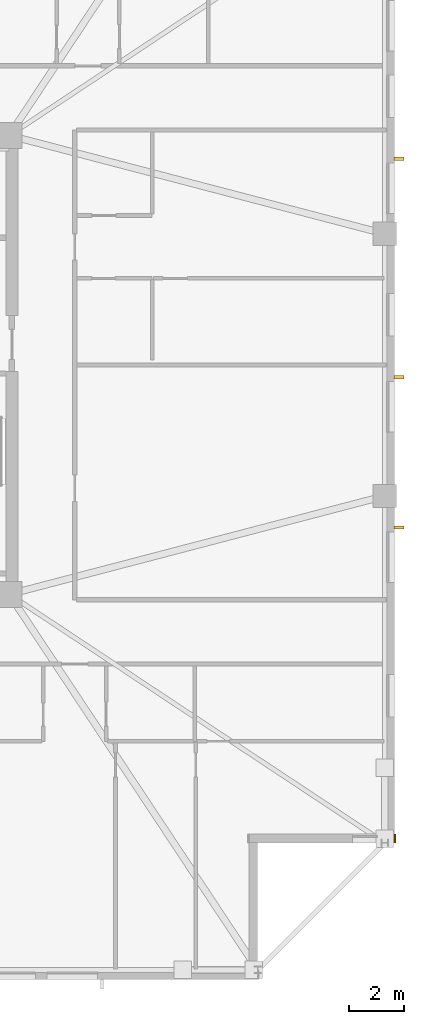
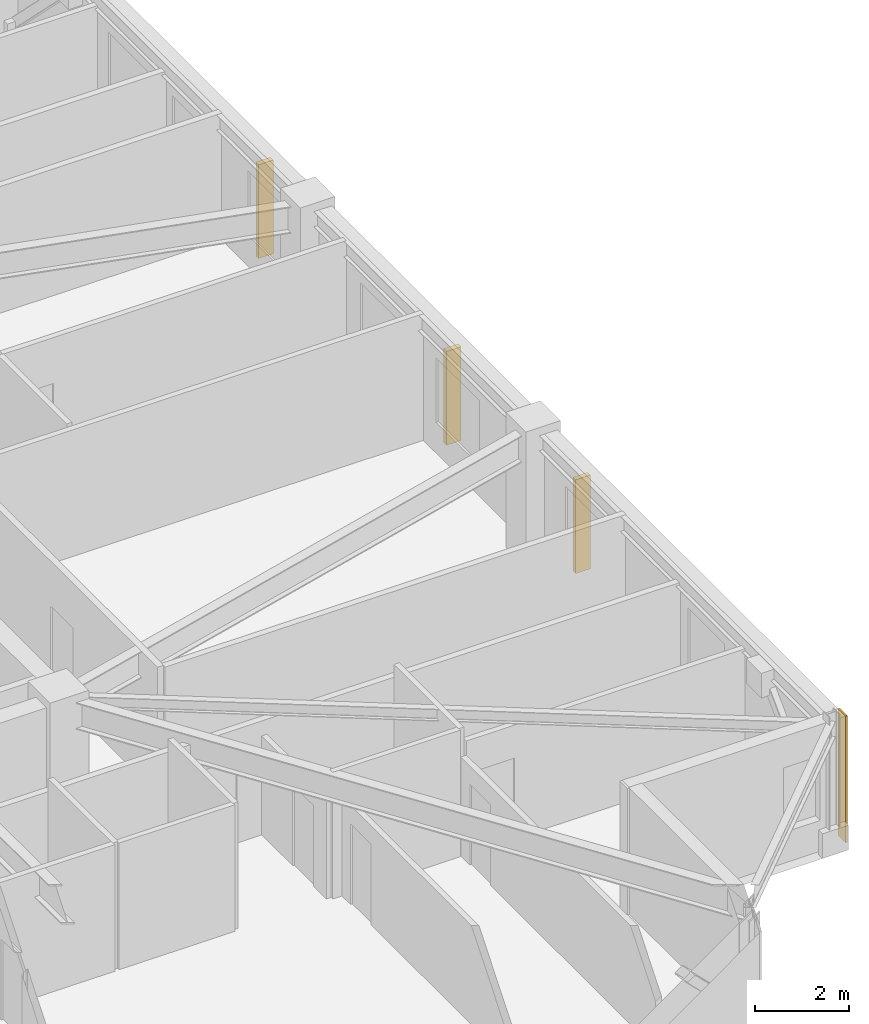
# One storey, part 15 of 17: 3 shading devices, 1 covering.
"""IFC4 building model written with IfcOpenShell, lengths in metres."""

from ifc_helpers import new_model, si_unit, direction, frame, frame_2d, origin, origin_2d, place, context, subcontext, project, spatial, rectangle, extrude, material, layer, layer_set, type_object, element, save


model = new_model("IFC4")

# Units and contexts
model_context = context("Model", 3, precision=1e-05, world=origin(), true_north=direction((0.0, 1.0)))
body_context = subcontext(model_context, "Body", "Model", "MODEL_VIEW")
ifc_project = project(units=[si_unit("LENGTHUNIT", "METRE"), si_unit("AREAUNIT", "SQUARE_METRE"), si_unit("VOLUMEUNIT", "CUBIC_METRE"), si_unit("PLANEANGLEUNIT", "RADIAN"), si_unit("MASSUNIT", "GRAM", prefix="KILO")], contexts=[model_context])

# Site, building, storey
site_placement = place(None, origin())
site = spatial("IfcSite", under=ifc_project, at=site_placement, CompositionType="ELEMENT")
building_placement = place(site_placement, origin())
building = spatial("IfcBuilding", under=site, at=building_placement, Name="Cairnveth Concourse Tower", CompositionType="ELEMENT")
storey_placement = place(building_placement, frame((0.0, 0.0, 209.5)))
storey = spatial("IfcBuildingStorey", under=building, at=storey_placement, Name="L57", CompositionType="ELEMENT", Elevation=209.5)

# Covering
ifc_material_1 = material(Name="Dressed Melbourne Bluestone Cladding", Category="masonry")
ifc_layer = layer(ifc_material_1, 0.050048828125)
ifc_layer_set = layer_set([ifc_layer], Name="Dressed Melbourne Bluestone Cladding")
covering_type = type_object("IfcCoveringType", Name="DRESSED BLUESTONE PLINTH CLADDING 50", PredefinedType="CLADDING", material=ifc_layer_set)
covering_placement = place(storey_placement, frame((74.52001953125, 21.820068359375, 0.0), z_axis=(0.0, 0.0, 1.0), x_axis=(0.0, -1.0, 0.0)))
element("IfcCovering", 1, at=covering_placement, inside=storey, type_object=covering_type, Name="Melbourne Bluestone Corner Quoin L57-851", PredefinedType="CLADDING", context=body_context, shape_type="SweptSolid", body=[
    extrude(rectangle(XDim=0.320068359375, YDim=0.050048828125, at=frame_2d((0.16015625, 0.0))), origin(), (0.0, 0.0, 1.0), 3.2900390625),
])

# Shading devices
ifc_material_2 = material(Name="Architectural Bronze Anodised Aluminium 6063-T6", Category="aluminium")
shading_device_type = type_object("IfcShadingDeviceType", Name="GOTHIC BRONZE VERTICAL LANCET FIN", PredefinedType="USERDEFINED", material=ifc_material_2)
for number, where, z_axis, x_axis, name in (
    (2, (74.675048828125, 46.546875, 0.030029296875), (0.0, 0.0, 1.0), (0.0, 1.0, 0.0), "Gothic Bronze Vertical Fin L57-3-3"),
    (3, (74.675048828125, 38.54638671875, 0.030029296875), (0.0, 0.0, 1.0), (0.0, 1.0, 0.0), "Gothic Bronze Vertical Fin L57-3-5"),
    (4, (74.675048828125, 33.0458984375, 0.030029296875), (0.0, 0.0, 1.0), (0.0, 1.0, 0.0), "Gothic Bronze Vertical Fin L57-3-7"),
):
    element("IfcShadingDevice", number, at=place(storey_placement, frame(where, z_axis=z_axis, x_axis=x_axis)), inside=storey, type_object=shading_device_type, Name=name, ObjectType="VERTICAL FIN", PredefinedType="USERDEFINED", context=body_context, shape_type="SweptSolid", body=[
        extrude(rectangle(XDim=0.1201171875, YDim=0.360107421875, at=origin_2d()), origin(), (0.0, 0.0, 1.0), 2.43798828125),
    ])

save(model, "model.ifc")
